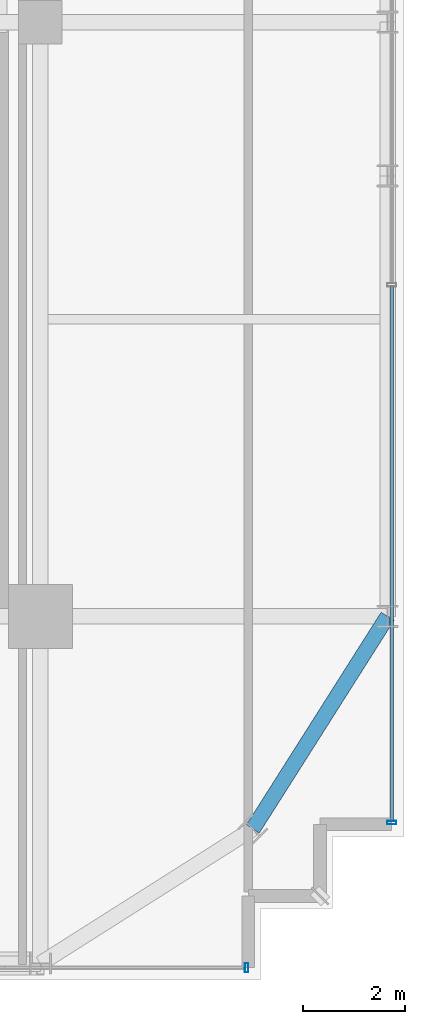
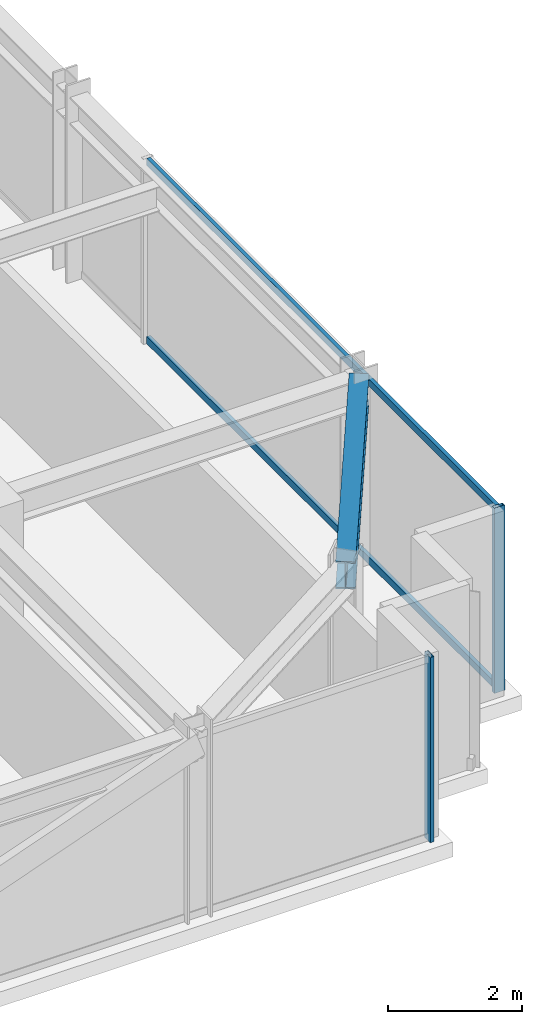
# One storey, part 12 of 40: 4 members, 1 beam, 2 elements without a shape of their own.
"""IFC4 building model written with IfcOpenShell, lengths in metres."""

from ifc_helpers import new_model, si_unit, direction, frame, origin, origin_2d, place, context, subcontext, project, spatial, hollow_rectangle, i_section, extrude, source, transform, mapped, material, material_profile, profile_set, type_object, element, aggregate, save


model = new_model("IFC4")

# Units and contexts
model_context = context("Model", 3, precision=1e-05, world=origin(), true_north=direction((0.0, 1.0)))
body_context = subcontext(model_context, "Body", "Model", "MODEL_VIEW")
ifc_project = project(units=[si_unit("LENGTHUNIT", "METRE"), si_unit("AREAUNIT", "SQUARE_METRE"), si_unit("VOLUMEUNIT", "CUBIC_METRE"), si_unit("PLANEANGLEUNIT", "RADIAN"), si_unit("MASSUNIT", "GRAM", prefix="KILO")], contexts=[model_context])

# Site, building, storey
site_placement = place(None, origin())
site = spatial("IfcSite", under=ifc_project, at=site_placement, CompositionType="ELEMENT")
building_placement = place(site_placement, origin())
building = spatial("IfcBuilding", under=site, at=building_placement, Name="Nahalor Promenade Grand Hotel", CompositionType="ELEMENT")
storey_placement = place(building_placement, frame((0.0, 0.0, 91.949951171875)))
storey = spatial("IfcBuildingStorey", under=building, at=storey_placement, Name="L22", CompositionType="ELEMENT", Elevation=91.949951171875)

# Beam
ifc_material_1 = material(Name="Steel S355JR", Category="steel")
ifc_material_profile_1 = material_profile(ifc_material_1, i_section(OverallWidth=0.3, OverallDepth=0.5, WebThickness=0.0145, FlangeThickness=0.028, at=origin_2d()), Name="HEB 500")
ifc_profile_set_1 = profile_set([ifc_material_profile_1], Name="Steel S355JR")
beam_type = type_object("IfcBeamType", Name="Beam-Spandrel-HEB500", PredefinedType="SPANDREL", material=ifc_profile_set_1)
shared_shape_1 = source(origin(), body_context, "Body", "SweptSolid", [
    extrude(i_section(OverallWidth=0.3, OverallDepth=0.5, WebThickness=0.0145, FlangeThickness=0.028, at=origin_2d()), origin(), (0.0, 0.0, 1.0), 4.9130859375),
])
beam_placement = place(storey_placement, frame((21.14990234375, -21.14990234375, 3.130126953125), z_axis=(0.535321591403, 0.844648325505, 0.0), x_axis=(-0.844648325505, 0.535321591403, 0.0)))
element("IfcBeam", 1, at=beam_placement, inside=storey, type_object=beam_type, Name="BM-L22-SPC-SE-2", PredefinedType="SPANDREL", context=body_context, shape_type="MappedRepresentation", body=[
    mapped(shared_shape_1, transform((0.0, 0.0, 0.0), scale=1.0)),
])

# Curtain wall, members
ifc_material_2 = material(Name="Anodised Bronze Aluminium EN AW-6063 T6", Category="aluminium")
curtain_wall_type = type_object("IfcCurtainWallType", Name="CW2 Typical Hotel Flush Bronze Unitised Curtain Wall", PredefinedType="USERDEFINED", material=ifc_material_2)
curtain_wall_1_placement = place(storey_placement, origin())
curtain_wall_1 = element("IfcCurtainWall", 2, at=curtain_wall_1_placement, inside=storey, type_object=curtain_wall_type, Name="L22 Curtain Wall CW-L22-E-1", ObjectType="UNITISED_CURTAIN_WALL", PredefinedType="USERDEFINED")
ifc_material_profile_2 = material_profile(ifc_material_2, hollow_rectangle(XDim=0.065, YDim=0.13, WallThickness=0.004, at=origin_2d()), Name="CWT 65x130x4")
ifc_profile_set_2 = profile_set([ifc_material_profile_2], Name="Anodised Bronze Aluminium EN AW-6063 T6")
member_type_1 = type_object("IfcMemberType", Name="CWT2 Typical Bronze Transom 65x130", PredefinedType="USERDEFINED", material=ifc_profile_set_2)
shared_shape_2 = source(origin(), body_context, "Body", "SweptSolid", [
    extrude(hollow_rectangle(XDim=0.065, YDim=0.13, WallThickness=0.004, at=origin_2d()), origin(), (0.0, 0.0, 1.0), 10.4326171875),
])
member_1_placement = place(storey_placement, frame((23.860107421875, -20.9951171875, 0.06494140625), z_axis=(0.0, 1.0, 0.0), x_axis=(-1.0, 0.0, 0.0)))
member_1 = element("IfcMember", 3, at=member_1_placement, type_object=member_type_1, Name="CW-L22-E-1 Transom 0-0", ObjectType="TRANSOM", PredefinedType="USERDEFINED", context=body_context, shape_type="MappedRepresentation", body=[
    mapped(shared_shape_2, transform((0.0, 0.0, 0.0), scale=1.0)),
])
member_2_placement = place(storey_placement, frame((23.860107421875, -20.9951171875, 3.31494140625), z_axis=(0.0, 1.0, 0.0), x_axis=(-1.0, 0.0, 0.0)))
member_2 = element("IfcMember", 4, at=member_2_placement, type_object=member_type_1, Name="CW-L22-E-1 Transom 0-1", ObjectType="TRANSOM", PredefinedType="USERDEFINED", context=body_context, shape_type="MappedRepresentation", body=[
    mapped(shared_shape_2, transform((0.0, 0.0, 0.0), scale=1.0)),
])

# Curtain wall, member
curtain_wall_2_placement = place(storey_placement, origin())
curtain_wall_2 = element("IfcCurtainWall", 5, at=curtain_wall_2_placement, inside=storey, type_object=curtain_wall_type, Name="L22 Curtain Wall CW-L22-S-1", ObjectType="UNITISED_CURTAIN_WALL", PredefinedType="USERDEFINED")
ifc_material_profile_3 = material_profile(ifc_material_2, hollow_rectangle(XDim=0.065, YDim=0.18, WallThickness=0.004, at=origin_2d()), Name="CWM 65x180x4")
ifc_profile_set_3 = profile_set([ifc_material_profile_3], Name="Anodised Bronze Aluminium EN AW-6063 T6")
member_type_2 = type_object("IfcMemberType", Name="CWM2 Typical Bronze Mullion 65x180", PredefinedType="MULLION", material=ifc_profile_set_3)
shared_shape_3 = source(origin(), body_context, "Body", "SweptSolid", [
    extrude(hollow_rectangle(XDim=0.065, YDim=0.18, WallThickness=0.004, at=origin_2d()), origin(), (0.0, 0.0, 1.0), 3.380126953125),
])
member_3_placement = place(storey_placement, frame((21.027587890625, -23.860107421875, 0.0), z_axis=(0.0, 0.0, 1.0), x_axis=(1.0, 0.0, 0.0)))
member_3 = element("IfcMember", 6, at=member_3_placement, type_object=member_type_2, Name="CW-L22-S-1 Mullion 4", PredefinedType="MULLION", context=body_context, shape_type="MappedRepresentation", body=[
    mapped(shared_shape_3, transform((0.0, 0.0, 0.0), scale=1.0)),
])
aggregate(curtain_wall_2, [member_3])

# Member
member_4_placement = place(storey_placement, frame((23.860107421875, -21.027587890625, 0.0), z_axis=(0.0, 0.0, 1.0), x_axis=(0.0, 1.0, 0.0)))
member_4 = element("IfcMember", 7, at=member_4_placement, type_object=member_type_2, Name="CW-L22-E-1 Mullion 0", PredefinedType="MULLION", context=body_context, shape_type="MappedRepresentation", body=[
    mapped(shared_shape_3, transform((0.0, 0.0, 0.0), scale=1.0)),
])

aggregate(curtain_wall_1, [member_4, member_1, member_2])

save(model, "model.ifc")
